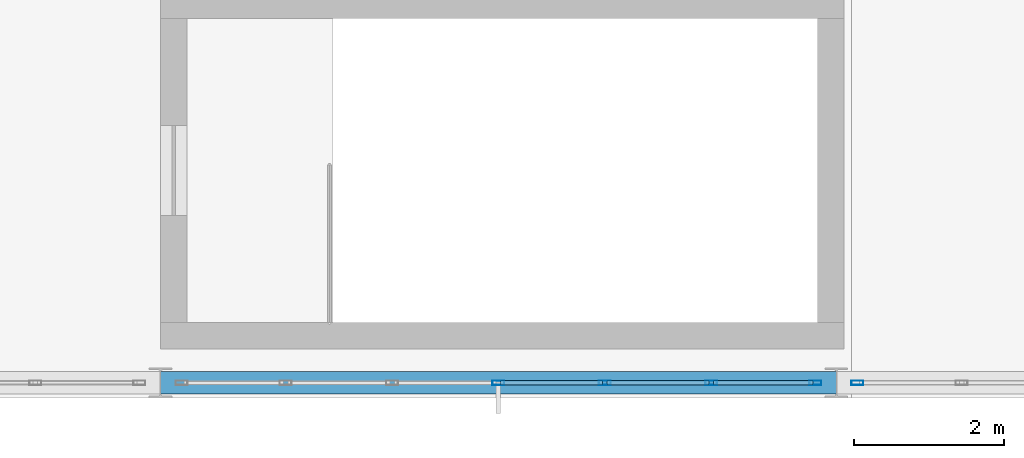
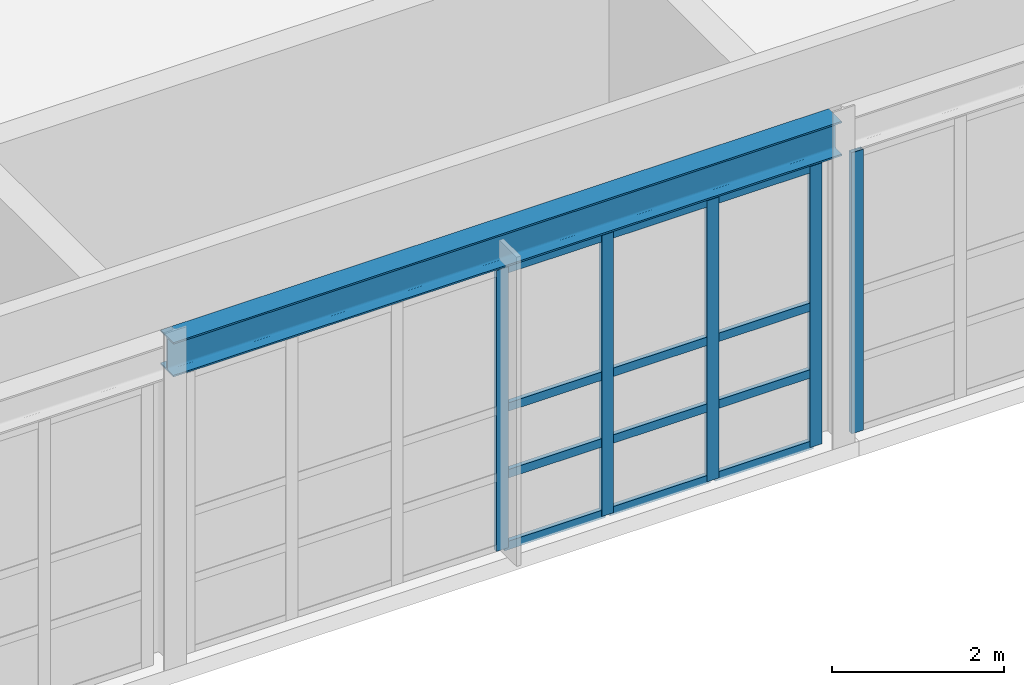
# One storey, part 10 of 38: 17 members, 1 beam, 2 elements without a shape of their own.
"""IFC4 building model written with IfcOpenShell, lengths in metres."""

from ifc_helpers import new_model, si_unit, direction, frame, origin, origin_2d, place, context, subcontext, project, spatial, hollow_rectangle, i_section, extrude, material, material_profile, profile_set, type_object, element, aggregate, save


model = new_model("IFC4")

# Units and contexts
model_context = context("Model", 3, precision=1e-05, world=origin(), true_north=direction((0.0, 1.0)))
body_context = subcontext(model_context, "Body", "Model", "MODEL_VIEW")
ifc_project = project(units=[si_unit("LENGTHUNIT", "METRE"), si_unit("AREAUNIT", "SQUARE_METRE"), si_unit("VOLUMEUNIT", "CUBIC_METRE"), si_unit("PLANEANGLEUNIT", "RADIAN"), si_unit("MASSUNIT", "GRAM", prefix="KILO")], contexts=[model_context])

# Site, building, storey
site_placement = place(None, origin())
site = spatial("IfcSite", under=ifc_project, at=site_placement, CompositionType="ELEMENT")
building_placement = place(site_placement, origin())
building = spatial("IfcBuilding", under=site, at=building_placement, Name="Kaldris Quays Convention Centre", CompositionType="ELEMENT")
storey_placement = place(building_placement, frame((0.0, 0.0, 21.60009765625)))
storey = spatial("IfcBuildingStorey", under=building, at=storey_placement, Name="L04", CompositionType="ELEMENT", Elevation=21.60009765625)

# Curtain wall, members
ifc_material_1 = material(Name="Anodized aluminium AW-6060 and triple glazing", Category="aluminium")
curtain_wall_type = type_object("IfcCurtainWallType", Name="UNITISED CURTAIN WALL CW04", PredefinedType="NOTDEFINED", material=ifc_material_1)
curtain_wall_1_placement = place(storey_placement, origin())
curtain_wall_1 = element("IfcCurtainWall", 1, at=curtain_wall_1_placement, inside=storey, type_object=curtain_wall_type, Name="L04 Unitised Curtain Wall CW04 131", PredefinedType="NOTDEFINED")
ifc_material_2 = material(Name="Anodized aluminium AW-6060", Category="aluminium")
ifc_material_profile_1 = material_profile(ifc_material_2, hollow_rectangle(XDim=0.06005859375, YDim=0.159912109375, WallThickness=0.00390625, at=origin_2d()), Name="RHS 160x60x4")
ifc_profile_set_1 = profile_set([ifc_material_profile_1], Name="Anodized aluminium AW-6060")
member_type_1 = type_object("IfcMemberType", Name="CURTAIN MULLION CWM1", PredefinedType="MULLION", material=ifc_profile_set_1)
member_1_placement = place(storey_placement, frame((114.5, 38.0, 0.0), z_axis=(0.0, 0.0, 1.0), x_axis=(0.0, 1.0, 0.0)))
member_1 = element("IfcMember", 2, at=member_1_placement, type_object=member_type_1, Name="CW04 mullion 4", PredefinedType="MULLION", context=body_context, shape_type="SweptSolid", body=[
    extrude(hollow_rectangle(XDim=0.06005859375, YDim=0.159912109375, WallThickness=0.00390625, at=origin_2d()), origin(), (0.0, 0.0, 1.0), 4.0),
])
member_2_placement = place(storey_placement, frame((115.916748046875, 38.0, 0.0), z_axis=(0.0, 0.0, 1.0), x_axis=(0.0, 1.0, 0.0)))
member_2 = element("IfcMember", 3, at=member_2_placement, type_object=member_type_1, Name="CW04 mullion 5", PredefinedType="MULLION", context=body_context, shape_type="SweptSolid", body=[
    extrude(hollow_rectangle(XDim=0.06005859375, YDim=0.159912109375, WallThickness=0.00390625, at=origin_2d()), origin(), (0.0, 0.0, 1.0), 4.0),
])
member_3_placement = place(storey_placement, frame((117.333251953125, 38.0, 0.0), z_axis=(0.0, 0.0, 1.0), x_axis=(0.0, 1.0, 0.0)))
member_3 = element("IfcMember", 4, at=member_3_placement, type_object=member_type_1, Name="CW04 mullion 6", PredefinedType="MULLION", context=body_context, shape_type="SweptSolid", body=[
    extrude(hollow_rectangle(XDim=0.06005859375, YDim=0.159912109375, WallThickness=0.00390625, at=origin_2d()), origin(), (0.0, 0.0, 1.0), 4.0),
])
member_4_placement = place(storey_placement, frame((118.719970703125, 38.0, 0.0), z_axis=(0.0, 0.0, 1.0), x_axis=(0.0, 1.0, 0.0)))
member_4 = element("IfcMember", 5, at=member_4_placement, type_object=member_type_1, Name="CW04 mullion 7", PredefinedType="MULLION", context=body_context, shape_type="SweptSolid", body=[
    extrude(hollow_rectangle(XDim=0.06005859375, YDim=0.159912109375, WallThickness=0.00390625, at=origin_2d()), origin(), (0.0, 0.0, 1.0), 4.0),
])

# Curtain wall, member
curtain_wall_2_placement = place(storey_placement, origin())
curtain_wall_2 = element("IfcCurtainWall", 6, at=curtain_wall_2_placement, inside=storey, type_object=curtain_wall_type, Name="L04 Unitised Curtain Wall CW04 132", PredefinedType="NOTDEFINED")
member_5_placement = place(storey_placement, frame((119.280029296875, 38.0, 0.0), z_axis=(0.0, 0.0, 1.0), x_axis=(0.0, 1.0, 0.0)))
member_5 = element("IfcMember", 7, at=member_5_placement, type_object=member_type_1, Name="CW04 mullion 1", PredefinedType="MULLION", context=body_context, shape_type="SweptSolid", body=[
    extrude(hollow_rectangle(XDim=0.06005859375, YDim=0.159912109375, WallThickness=0.00390625, at=origin_2d()), origin(), (0.0, 0.0, 1.0), 4.0),
])
aggregate(curtain_wall_2, [member_5])

# Member
ifc_material_profile_2 = material_profile(ifc_material_2, hollow_rectangle(XDim=0.06005859375, YDim=0.1201171875, WallThickness=0.00390625, at=origin_2d()), Name="RHS 120x60x4")
ifc_profile_set_2 = profile_set([ifc_material_profile_2], Name="Anodized aluminium AW-6060")
member_type_2 = type_object("IfcMemberType", Name="CURTAIN TRANSOM CWT1", PredefinedType="USERDEFINED", material=ifc_profile_set_2)
member_6_placement = place(storey_placement, frame((114.530029296875, 38.0, 0.02978515625), z_axis=(1.0, 0.0, 0.0), x_axis=(0.0, 1.0, 0.0)))
member_6 = element("IfcMember", 8, at=member_6_placement, type_object=member_type_2, Name="CW04 transom 4.1", ObjectType="TRANSOM", PredefinedType="USERDEFINED", context=body_context, shape_type="SweptSolid", body=[
    extrude(hollow_rectangle(XDim=0.06005859375, YDim=0.1201171875, WallThickness=0.00390625, at=origin_2d()), origin(), (0.0, 0.0, 1.0), 1.356689453125),
])

member_7_placement = place(storey_placement, frame((114.530029296875, 38.0, 1.0498046875), z_axis=(1.0, 0.0, 0.0), x_axis=(0.0, 1.0, 0.0)))
member_7 = element("IfcMember", 9, at=member_7_placement, type_object=member_type_2, Name="CW04 transom 4.2", ObjectType="TRANSOM", PredefinedType="USERDEFINED", context=body_context, shape_type="SweptSolid", body=[
    extrude(hollow_rectangle(XDim=0.06005859375, YDim=0.1201171875, WallThickness=0.00390625, at=origin_2d()), origin(), (0.0, 0.0, 1.0), 1.356689453125),
])

member_8_placement = place(storey_placement, frame((114.530029296875, 38.0, 2.0), z_axis=(1.0, 0.0, 0.0), x_axis=(0.0, 1.0, 0.0)))
member_8 = element("IfcMember", 10, at=member_8_placement, type_object=member_type_2, Name="CW04 transom 4.3", ObjectType="TRANSOM", PredefinedType="USERDEFINED", context=body_context, shape_type="SweptSolid", body=[
    extrude(hollow_rectangle(XDim=0.06005859375, YDim=0.1201171875, WallThickness=0.00390625, at=origin_2d()), origin(), (0.0, 0.0, 1.0), 1.356689453125),
])

member_9_placement = place(storey_placement, frame((114.530029296875, 38.0, 3.969970703125), z_axis=(1.0, 0.0, 0.0), x_axis=(0.0, 1.0, 0.0)))
member_9 = element("IfcMember", 11, at=member_9_placement, type_object=member_type_2, Name="CW04 transom 4.4", ObjectType="TRANSOM", PredefinedType="USERDEFINED", context=body_context, shape_type="SweptSolid", body=[
    extrude(hollow_rectangle(XDim=0.06005859375, YDim=0.1201171875, WallThickness=0.00390625, at=origin_2d()), origin(), (0.0, 0.0, 1.0), 1.356689453125),
])

member_10_placement = place(storey_placement, frame((115.94677734375, 38.0, 0.02978515625), z_axis=(1.0, 0.0, 0.0), x_axis=(0.0, 1.0, 0.0)))
member_10 = element("IfcMember", 12, at=member_10_placement, type_object=member_type_2, Name="CW04 transom 5.1", ObjectType="TRANSOM", PredefinedType="USERDEFINED", context=body_context, shape_type="SweptSolid", body=[
    extrude(hollow_rectangle(XDim=0.06005859375, YDim=0.1201171875, WallThickness=0.00390625, at=origin_2d()), origin(), (0.0, 0.0, 1.0), 1.3564453125),
])

member_11_placement = place(storey_placement, frame((115.94677734375, 38.0, 1.0498046875), z_axis=(1.0, 0.0, 0.0), x_axis=(0.0, 1.0, 0.0)))
member_11 = element("IfcMember", 13, at=member_11_placement, type_object=member_type_2, Name="CW04 transom 5.2", ObjectType="TRANSOM", PredefinedType="USERDEFINED", context=body_context, shape_type="SweptSolid", body=[
    extrude(hollow_rectangle(XDim=0.06005859375, YDim=0.1201171875, WallThickness=0.00390625, at=origin_2d()), origin(), (0.0, 0.0, 1.0), 1.3564453125),
])

member_12_placement = place(storey_placement, frame((115.94677734375, 38.0, 2.0), z_axis=(1.0, 0.0, 0.0), x_axis=(0.0, 1.0, 0.0)))
member_12 = element("IfcMember", 14, at=member_12_placement, type_object=member_type_2, Name="CW04 transom 5.3", ObjectType="TRANSOM", PredefinedType="USERDEFINED", context=body_context, shape_type="SweptSolid", body=[
    extrude(hollow_rectangle(XDim=0.06005859375, YDim=0.1201171875, WallThickness=0.00390625, at=origin_2d()), origin(), (0.0, 0.0, 1.0), 1.3564453125),
])

member_13_placement = place(storey_placement, frame((115.94677734375, 38.0, 3.969970703125), z_axis=(1.0, 0.0, 0.0), x_axis=(0.0, 1.0, 0.0)))
member_13 = element("IfcMember", 15, at=member_13_placement, type_object=member_type_2, Name="CW04 transom 5.4", ObjectType="TRANSOM", PredefinedType="USERDEFINED", context=body_context, shape_type="SweptSolid", body=[
    extrude(hollow_rectangle(XDim=0.06005859375, YDim=0.1201171875, WallThickness=0.00390625, at=origin_2d()), origin(), (0.0, 0.0, 1.0), 1.3564453125),
])

member_14_placement = place(storey_placement, frame((117.36328125, 38.0, 0.02978515625), z_axis=(1.0, 0.0, 0.0), x_axis=(0.0, 1.0, 0.0)))
member_14 = element("IfcMember", 16, at=member_14_placement, type_object=member_type_2, Name="CW04 transom 6.1", ObjectType="TRANSOM", PredefinedType="USERDEFINED", context=body_context, shape_type="SweptSolid", body=[
    extrude(hollow_rectangle(XDim=0.06005859375, YDim=0.1201171875, WallThickness=0.00390625, at=origin_2d()), origin(), (0.0, 0.0, 1.0), 1.32666015625),
])

member_15_placement = place(storey_placement, frame((117.36328125, 38.0, 1.0498046875), z_axis=(1.0, 0.0, 0.0), x_axis=(0.0, 1.0, 0.0)))
member_15 = element("IfcMember", 17, at=member_15_placement, type_object=member_type_2, Name="CW04 transom 6.2", ObjectType="TRANSOM", PredefinedType="USERDEFINED", context=body_context, shape_type="SweptSolid", body=[
    extrude(hollow_rectangle(XDim=0.06005859375, YDim=0.1201171875, WallThickness=0.00390625, at=origin_2d()), origin(), (0.0, 0.0, 1.0), 1.32666015625),
])

member_16_placement = place(storey_placement, frame((117.36328125, 38.0, 2.0), z_axis=(1.0, 0.0, 0.0), x_axis=(0.0, 1.0, 0.0)))
member_16 = element("IfcMember", 18, at=member_16_placement, type_object=member_type_2, Name="CW04 transom 6.3", ObjectType="TRANSOM", PredefinedType="USERDEFINED", context=body_context, shape_type="SweptSolid", body=[
    extrude(hollow_rectangle(XDim=0.06005859375, YDim=0.1201171875, WallThickness=0.00390625, at=origin_2d()), origin(), (0.0, 0.0, 1.0), 1.32666015625),
])

member_17_placement = place(storey_placement, frame((117.36328125, 38.0, 3.969970703125), z_axis=(1.0, 0.0, 0.0), x_axis=(0.0, 1.0, 0.0)))
member_17 = element("IfcMember", 19, at=member_17_placement, type_object=member_type_2, Name="CW04 transom 6.4", ObjectType="TRANSOM", PredefinedType="USERDEFINED", context=body_context, shape_type="SweptSolid", body=[
    extrude(hollow_rectangle(XDim=0.06005859375, YDim=0.1201171875, WallThickness=0.00390625, at=origin_2d()), origin(), (0.0, 0.0, 1.0), 1.32666015625),
])

aggregate(curtain_wall_1, [member_1, member_2, member_3, member_4, member_6, member_7, member_8, member_9, member_10, member_11, member_12, member_13, member_14, member_15, member_16, member_17])

# Beam
ifc_material_3 = material(Name="Steel S355J2", Category="steel")
ifc_material_profile_3 = material_profile(ifc_material_3, i_section(OverallWidth=0.300048828125, OverallDepth=0.489990234375, WebThickness=0.011962890625, FlangeThickness=0.02294921875, FilletRadius=0.027099609375, at=origin_2d()), Name="HEA 500")
ifc_profile_set_3 = profile_set([ifc_material_profile_3], Name="Steel S355J2")
beam_type = type_object("IfcBeamType", Name="STRUCTURAL BEAM BM09", PredefinedType="BEAM", material=ifc_profile_set_3)
beam_placement = place(storey_placement, frame((110.000732421875, 38.0, 4.347900390625), z_axis=(1.0, 0.0, 0.0), x_axis=(0.0, 1.0, 0.0)))
element("IfcBeam", 20, at=beam_placement, inside=storey, type_object=beam_type, Name="L04 Girder BM09 3", PredefinedType="BEAM", context=body_context, shape_type="SweptSolid", body=[
    extrude(i_section(OverallWidth=0.300048828125, OverallDepth=0.489990234375, WebThickness=0.011962890625, FlangeThickness=0.02294921875, FilletRadius=0.027099609375, at=origin_2d()), origin(), (0.0, 0.0, 1.0), 8.99853515625),
])

save(model, "model.ifc")
